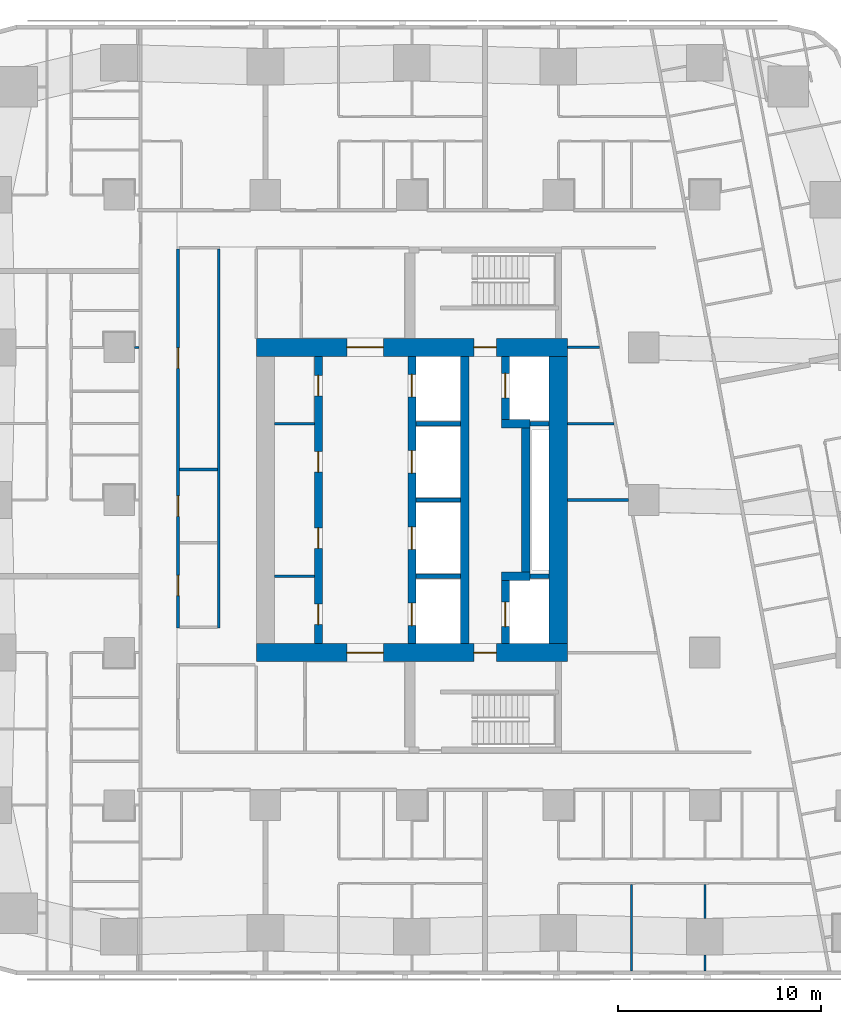
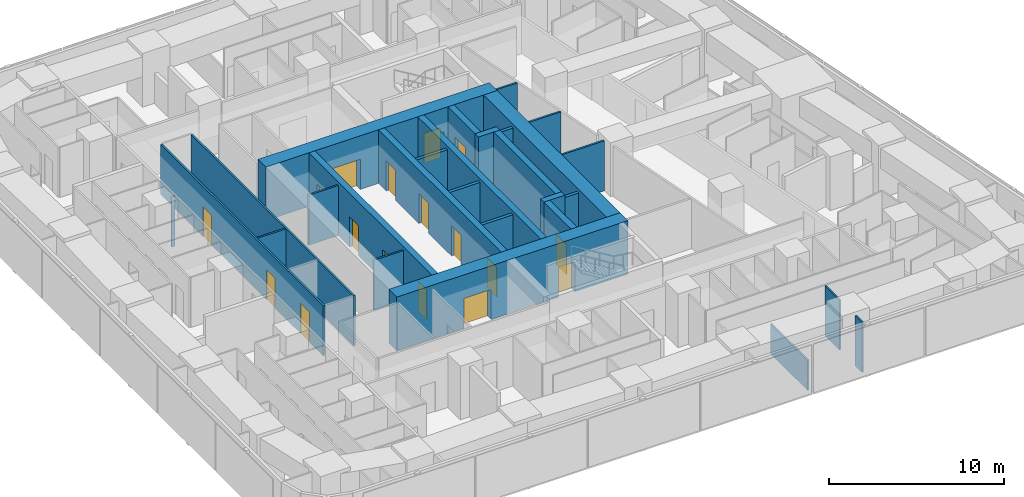
# One storey, part 5 of 15: 28 walls, 17 doors, 17 openings.
"""IFC4 building model written with IfcOpenShell, lengths in metres."""

from ifc_helpers import new_model, si_unit, direction, frame, frame_2d, origin, place, context, subcontext, project, spatial, rectangle, extrude, material, layer, layer_set, type_object, element, fill, save


model = new_model("IFC4")

# Units and contexts
model_context = context("Model", 3, precision=1e-05, world=origin(), true_north=direction((0.0, 1.0)))
body_context = subcontext(model_context, "Body", "Model", "MODEL_VIEW")
ifc_project = project(units=[si_unit("LENGTHUNIT", "METRE"), si_unit("AREAUNIT", "SQUARE_METRE"), si_unit("VOLUMEUNIT", "CUBIC_METRE"), si_unit("PLANEANGLEUNIT", "RADIAN"), si_unit("MASSUNIT", "GRAM", prefix="KILO")], contexts=[model_context])

# Site, building, storey
site_placement = place(None, origin())
site = spatial("IfcSite", under=ifc_project, at=site_placement, CompositionType="ELEMENT")
building_placement = place(site_placement, origin())
building = spatial("IfcBuilding", under=site, at=building_placement, Name="Sheger Commons Tower", CompositionType="ELEMENT")
storey_placement = place(building_placement, frame((0.0, 0.0, 150.800048828125)))
storey = spatial("IfcBuildingStorey", under=building, at=storey_placement, Name="L38", CompositionType="ELEMENT", Elevation=150.800048828125)

# Wall, openings, doors
ifc_material_1 = material(Name="Concrete C50/60", Category="concrete")
ifc_layer_1 = layer(ifc_material_1, 0.39990234375)
ifc_layer_set_1 = layer_set([ifc_layer_1], Name="CORE INNER WALL 400")
wall_type_1 = type_object("IfcWallType", Name="CORE INNER WALL 400", PredefinedType="SHEAR", material=ifc_layer_set_1)
wall_1_placement = place(storey_placement, frame((17.0, 15.449951171875, 0.0), z_axis=(0.0, 0.0, 1.0), x_axis=(0.0, 1.0, 0.0)))
wall_1 = element("IfcWall", 1, at=wall_1_placement, inside=storey, type_object=wall_type_1, Name="Core inner wall A L38", PredefinedType="SHEAR", context=body_context, shape_type="SweptSolid", body=[
    extrude(rectangle(XDim=14.10009765625, YDim=0.39990234375, at=frame_2d((7.050048828125, 0.0))), origin(), (0.0, 0.0, 1.0), 3.75),
])
opening_1_placement = place(wall_1_placement, frame((0.925048828125, 0.0, 0.0)))
opening_1 = element("IfcOpeningElement", 2, at=opening_1_placement, cuts=wall_1, Name="Opening D4", PredefinedType="OPENING", context=body_context, shape_type="SweptSolid", body=[
    extrude(rectangle(XDim=1.0, YDim=2.10009765625, at=frame_2d((0.5, 1.050048828125))), frame((0.0, 0.2099609375, 0.0), z_axis=(0.0, -1.0, 0.0), x_axis=(1.0, 0.0, 0.0)), (0.0, 0.0, 1.0), 0.419921875),
])
opening_2_placement = place(wall_1_placement, frame((4.675048828125, 0.0, 0.0)))
opening_2 = element("IfcOpeningElement", 3, at=opening_2_placement, cuts=wall_1, Name="Opening D4", PredefinedType="OPENING", context=body_context, shape_type="SweptSolid", body=[
    extrude(rectangle(XDim=1.0, YDim=2.10009765625, at=frame_2d((0.5, 1.050048828125))), frame((0.0, 0.2099609375, 0.0), z_axis=(0.0, -1.0, 0.0), x_axis=(1.0, 0.0, 0.0)), (0.0, 0.0, 1.0), 0.419921875),
])
opening_3_placement = place(wall_1_placement, frame((8.425048828125, 0.0, 0.0)))
opening_3 = element("IfcOpeningElement", 4, at=opening_3_placement, cuts=wall_1, Name="Opening D4", PredefinedType="OPENING", context=body_context, shape_type="SweptSolid", body=[
    extrude(rectangle(XDim=1.0, YDim=2.10009765625, at=frame_2d((0.5, 1.050048828125))), frame((0.0, 0.2099609375, 0.0), z_axis=(0.0, -1.0, 0.0), x_axis=(1.0, 0.0, 0.0)), (0.0, 0.0, 1.0), 0.419921875),
])
opening_4_placement = place(wall_1_placement, frame((12.175048828125, 0.0, 0.0)))
opening_4 = element("IfcOpeningElement", 5, at=opening_4_placement, cuts=wall_1, Name="Opening D4", PredefinedType="OPENING", context=body_context, shape_type="SweptSolid", body=[
    extrude(rectangle(XDim=1.0, YDim=2.10009765625, at=frame_2d((0.5, 1.050048828125))), frame((0.0, 0.2099609375, 0.0), z_axis=(0.0, -1.0, 0.0), x_axis=(1.0, 0.0, 0.0)), (0.0, 0.0, 1.0), 0.419921875),
])
ifc_material_2 = material(Name="Steel door set, fire rated", Category="steel")
door_type_1 = type_object("IfcDoorType", Name="SERVICE DOOR 1000x2100", OperationType="NOTDEFINED", PredefinedType="DOOR", material=ifc_material_2)
door_1_placement = place(opening_1_placement, origin())
door_1 = element("IfcDoor", 6, at=door_1_placement, inside=storey, type_object=door_type_1, Name="Estate store door", OperationType="SINGLE_SWING_LEFT", OverallHeight=2.10009765625, OverallWidth=1.0, PredefinedType="DOOR", context=body_context, shape_type="SweptSolid", body=[
    extrude(rectangle(XDim=1.0, YDim=2.10009765625, at=frame_2d((0.5, 1.050048828125))), frame((0.0, 0.02490234375, 0.0), z_axis=(0.0, -1.0, 0.0), x_axis=(1.0, 0.0, 0.0)), (0.0, 0.0, 1.0), 0.050048828125),
])
fill(opening_1, door_1)
door_2_placement = place(opening_2_placement, origin())
door_2 = element("IfcDoor", 7, at=door_2_placement, inside=storey, type_object=door_type_1, Name="Bulky waste store door", OperationType="SINGLE_SWING_LEFT", OverallHeight=2.10009765625, OverallWidth=1.0, PredefinedType="DOOR", context=body_context, shape_type="SweptSolid", body=[
    extrude(rectangle(XDim=1.0, YDim=2.10009765625, at=frame_2d((0.5, 1.050048828125))), frame((0.0, 0.02490234375, 0.0), z_axis=(0.0, -1.0, 0.0), x_axis=(1.0, 0.0, 0.0)), (0.0, 0.0, 1.0), 0.050048828125),
])
fill(opening_2, door_2)
door_3_placement = place(opening_3_placement, origin())
door_3 = element("IfcDoor", 8, at=door_3_placement, inside=storey, type_object=door_type_1, Name="Bulky waste store door", OperationType="SINGLE_SWING_RIGHT", OverallHeight=2.10009765625, OverallWidth=1.0, PredefinedType="DOOR", context=body_context, shape_type="SweptSolid", body=[
    extrude(rectangle(XDim=1.0, YDim=2.10009765625, at=frame_2d((0.5, 1.050048828125))), frame((0.0, 0.02490234375, 0.0), z_axis=(0.0, -1.0, 0.0), x_axis=(1.0, 0.0, 0.0)), (0.0, 0.0, 1.0), 0.050048828125),
])
fill(opening_3, door_3)
door_4_placement = place(opening_4_placement, origin())
door_4 = element("IfcDoor", 9, at=door_4_placement, inside=storey, type_object=door_type_1, Name="Staff WC door", OperationType="SINGLE_SWING_RIGHT", OverallHeight=2.10009765625, OverallWidth=1.0, PredefinedType="DOOR", context=body_context, shape_type="SweptSolid", body=[
    extrude(rectangle(XDim=1.0, YDim=2.10009765625, at=frame_2d((0.5, 1.050048828125))), frame((0.0, 0.02490234375, 0.0), z_axis=(0.0, -1.0, 0.0), x_axis=(1.0, 0.0, 0.0)), (0.0, 0.0, 1.0), 0.050048828125),
])
fill(opening_4, door_4)

wall_2_placement = place(storey_placement, frame((21.60009765625, 15.449951171875, 0.0), z_axis=(0.0, 0.0, 1.0), x_axis=(0.0, 1.0, 0.0)))
wall_2 = element("IfcWall", 10, at=wall_2_placement, inside=storey, type_object=wall_type_1, Name="Core inner wall L L38", PredefinedType="SHEAR", context=body_context, shape_type="SweptSolid", body=[
    extrude(rectangle(XDim=14.10009765625, YDim=0.39990234375, at=frame_2d((7.050048828125, 0.0))), origin(), (0.0, 0.0, 1.0), 3.75),
])
opening_5_placement = place(wall_2_placement, frame((0.875, 0.0, 0.0)))
opening_5 = element("IfcOpeningElement", 11, at=opening_5_placement, cuts=wall_2, Name="Opening LD", PredefinedType="OPENING", context=body_context, shape_type="SweptSolid", body=[
    extrude(rectangle(XDim=1.10009765625, YDim=2.10009765625, at=frame_2d((0.550048828125, 1.050048828125))), frame((0.0, 0.2099609375, 0.0), z_axis=(0.0, -1.0, 0.0), x_axis=(1.0, 0.0, 0.0)), (0.0, 0.0, 1.0), 0.419921875),
])
opening_6_placement = place(wall_2_placement, frame((4.625, 0.0, 0.0)))
opening_6 = element("IfcOpeningElement", 12, at=opening_6_placement, cuts=wall_2, Name="Opening LD", PredefinedType="OPENING", context=body_context, shape_type="SweptSolid", body=[
    extrude(rectangle(XDim=1.10009765625, YDim=2.10009765625, at=frame_2d((0.550048828125, 1.050048828125))), frame((0.0, 0.2099609375, 0.0), z_axis=(0.0, -1.0, 0.0), x_axis=(1.0, 0.0, 0.0)), (0.0, 0.0, 1.0), 0.419921875),
])
opening_7_placement = place(wall_2_placement, frame((8.375, 0.0, 0.0)))
opening_7 = element("IfcOpeningElement", 13, at=opening_7_placement, cuts=wall_2, Name="Opening LD", PredefinedType="OPENING", context=body_context, shape_type="SweptSolid", body=[
    extrude(rectangle(XDim=1.10009765625, YDim=2.10009765625, at=frame_2d((0.550048828125, 1.050048828125))), frame((0.0, 0.2099609375, 0.0), z_axis=(0.0, -1.0, 0.0), x_axis=(1.0, 0.0, 0.0)), (0.0, 0.0, 1.0), 0.419921875),
])
opening_8_placement = place(wall_2_placement, frame((12.125, 0.0, 0.0)))
opening_8 = element("IfcOpeningElement", 14, at=opening_8_placement, cuts=wall_2, Name="Opening LD", PredefinedType="OPENING", context=body_context, shape_type="SweptSolid", body=[
    extrude(rectangle(XDim=1.10009765625, YDim=2.10009765625, at=frame_2d((0.550048828125, 1.050048828125))), frame((0.0, 0.2099609375, 0.0), z_axis=(0.0, -1.0, 0.0), x_axis=(1.0, 0.0, 0.0)), (0.0, 0.0, 1.0), 0.419921875),
])
ifc_material_3 = material(Name="Steel door set, fire rated", Category="steel")
door_type_2 = type_object("IfcDoorType", Name="LIFT LANDING DOOR 1100x2100", OperationType="DOUBLE_DOOR_SLIDING", PredefinedType="DOOR", material=ifc_material_3)
door_5_placement = place(opening_5_placement, origin())
door_5 = element("IfcDoor", 15, at=door_5_placement, inside=storey, type_object=door_type_2, Name="Lift LB1 landing door", OperationType="DOUBLE_DOOR_SLIDING", OverallHeight=2.10009765625, OverallWidth=1.10009765625, PredefinedType="DOOR", context=body_context, shape_type="SweptSolid", body=[
    extrude(rectangle(XDim=1.10009765625, YDim=2.10009765625, at=frame_2d((0.550048828125, 1.050048828125))), frame((0.0, 0.02490234375, 0.0), z_axis=(0.0, -1.0, 0.0), x_axis=(1.0, 0.0, 0.0)), (0.0, 0.0, 1.0), 0.050048828125),
])
fill(opening_5, door_5)
door_6_placement = place(opening_6_placement, origin())
door_6 = element("IfcDoor", 16, at=door_6_placement, inside=storey, type_object=door_type_2, Name="Lift LB2 landing door", OperationType="DOUBLE_DOOR_SLIDING", OverallHeight=2.10009765625, OverallWidth=1.10009765625, PredefinedType="DOOR", context=body_context, shape_type="SweptSolid", body=[
    extrude(rectangle(XDim=1.10009765625, YDim=2.10009765625, at=frame_2d((0.550048828125, 1.050048828125))), frame((0.0, 0.02490234375, 0.0), z_axis=(0.0, -1.0, 0.0), x_axis=(1.0, 0.0, 0.0)), (0.0, 0.0, 1.0), 0.050048828125),
])
fill(opening_6, door_6)
door_7_placement = place(opening_7_placement, origin())
door_7 = element("IfcDoor", 17, at=door_7_placement, inside=storey, type_object=door_type_2, Name="Lift LB3 landing door", OperationType="DOUBLE_DOOR_SLIDING", OverallHeight=2.10009765625, OverallWidth=1.10009765625, PredefinedType="DOOR", context=body_context, shape_type="SweptSolid", body=[
    extrude(rectangle(XDim=1.10009765625, YDim=2.10009765625, at=frame_2d((0.550048828125, 1.050048828125))), frame((0.0, 0.02490234375, 0.0), z_axis=(0.0, -1.0, 0.0), x_axis=(1.0, 0.0, 0.0)), (0.0, 0.0, 1.0), 0.050048828125),
])
fill(opening_7, door_7)
door_8_placement = place(opening_8_placement, origin())
door_8 = element("IfcDoor", 18, at=door_8_placement, inside=storey, type_object=door_type_2, Name="Lift LB4 landing door", OperationType="DOUBLE_DOOR_SLIDING", OverallHeight=2.10009765625, OverallWidth=1.10009765625, PredefinedType="DOOR", context=body_context, shape_type="SweptSolid", body=[
    extrude(rectangle(XDim=1.10009765625, YDim=2.10009765625, at=frame_2d((0.550048828125, 1.050048828125))), frame((0.0, 0.02490234375, 0.0), z_axis=(0.0, -1.0, 0.0), x_axis=(1.0, 0.0, 0.0)), (0.0, 0.0, 1.0), 0.050048828125),
])
fill(opening_8, door_8)

# Wall
wall_3_placement = place(storey_placement, frame((24.199951171875, 15.449951171875, 0.0), z_axis=(0.0, 0.0, 1.0), x_axis=(0.0, 1.0, 0.0)))
element("IfcWall", 19, at=wall_3_placement, inside=storey, type_object=wall_type_1, Name="Core inner wall B L38", PredefinedType="SHEAR", context=body_context, shape_type="SweptSolid", body=[
    extrude(rectangle(XDim=14.10009765625, YDim=0.39990234375, at=frame_2d((7.050048828125, 0.0))), origin(), (0.0, 0.0, 1.0), 3.75),
])

# Wall, opening, door
wall_4_placement = place(storey_placement, frame((26.199951171875, 15.449951171875, 0.0), z_axis=(0.0, 0.0, 1.0), x_axis=(0.0, 1.0, 0.0)))
wall_4 = element("IfcWall", 20, at=wall_4_placement, inside=storey, type_object=wall_type_1, Name="Core inner wall F L38", PredefinedType="SHEAR", context=body_context, shape_type="SweptSolid", body=[
    extrude(rectangle(XDim=3.10009765625, YDim=0.39990234375, at=frame_2d((1.550048828125, 0.0))), origin(), (0.0, 0.0, 1.0), 3.75),
])
opening_9_placement = place(wall_4_placement, frame((0.824951171875, 0.0, 0.0)))
opening_9 = element("IfcOpeningElement", 21, at=opening_9_placement, cuts=wall_4, Name="Opening LD2", PredefinedType="OPENING", context=body_context, shape_type="SweptSolid", body=[
    extrude(rectangle(XDim=1.199951171875, YDim=2.10009765625, at=frame_2d((0.60009765625, 1.050048828125))), frame((0.0, 0.2099609375, 0.0), z_axis=(0.0, -1.0, 0.0), x_axis=(1.0, 0.0, 0.0)), (0.0, 0.0, 1.0), 0.419921875),
])
ifc_material_4 = material(Name="Steel door set, fire rated", Category="steel")
door_type_3 = type_object("IfcDoorType", Name="FIREFIGHTING LIFT LANDING DOOR 1200x2100", OperationType="DOUBLE_DOOR_SLIDING", PredefinedType="DOOR", material=ifc_material_4)
door_9_placement = place(opening_9_placement, origin())
door_9 = element("IfcDoor", 22, at=door_9_placement, inside=storey, type_object=door_type_3, Name="Lift FL1 landing door", OperationType="DOUBLE_DOOR_SLIDING", OverallHeight=2.10009765625, OverallWidth=1.199951171875, PredefinedType="DOOR", context=body_context, shape_type="SweptSolid", body=[
    extrude(rectangle(XDim=1.199951171875, YDim=2.10009765625, at=frame_2d((0.60009765625, 1.050048828125))), frame((0.0, 0.02490234375, 0.0), z_axis=(0.0, -1.0, 0.0), x_axis=(1.0, 0.0, 0.0)), (0.0, 0.0, 1.0), 0.050048828125),
])
fill(opening_9, door_9)

# Walls
wall_5_placement = place(storey_placement, frame((26.0, 18.75, 0.0), z_axis=(0.0, 0.0, 1.0), x_axis=(1.0, 0.0, 0.0)))
element("IfcWall", 23, at=wall_5_placement, inside=storey, type_object=wall_type_1, Name="Core inner wall F south return L38", PredefinedType="SHEAR", context=body_context, shape_type="SweptSolid", body=[
    extrude(rectangle(XDim=1.39990234375, YDim=0.39990234375, at=frame_2d((0.699951171875, 0.0))), origin(), (0.0, 0.0, 1.0), 3.75),
])
wall_6_placement = place(storey_placement, frame((27.199951171875, 18.949951171875, 0.0), z_axis=(0.0, 0.0, 1.0), x_axis=(0.0, 1.0, 0.0)))
element("IfcWall", 24, at=wall_6_placement, inside=storey, type_object=wall_type_1, Name="Core inner wall F middle L38", PredefinedType="SHEAR", context=body_context, shape_type="SweptSolid", body=[
    extrude(rectangle(XDim=7.10009765625, YDim=0.39990234375, at=frame_2d((3.550048828125, 0.0))), origin(), (0.0, 0.0, 1.0), 3.75),
])
wall_7_placement = place(storey_placement, frame((26.0, 26.25, 0.0), z_axis=(0.0, 0.0, 1.0), x_axis=(1.0, 0.0, 0.0)))
element("IfcWall", 25, at=wall_7_placement, inside=storey, type_object=wall_type_1, Name="Core inner wall F north return L38", PredefinedType="SHEAR", context=body_context, shape_type="SweptSolid", body=[
    extrude(rectangle(XDim=1.39990234375, YDim=0.39990234375, at=frame_2d((0.699951171875, 0.0))), origin(), (0.0, 0.0, 1.0), 3.75),
])

# Wall, opening, door
wall_8_placement = place(storey_placement, frame((26.199951171875, 26.449951171875, 0.0), z_axis=(0.0, 0.0, 1.0), x_axis=(0.0, 1.0, 0.0)))
wall_8 = element("IfcWall", 26, at=wall_8_placement, inside=storey, type_object=wall_type_1, Name="Core inner wall F north L38", PredefinedType="SHEAR", context=body_context, shape_type="SweptSolid", body=[
    extrude(rectangle(XDim=3.10009765625, YDim=0.39990234375, at=frame_2d((1.550048828125, 0.0))), origin(), (0.0, 0.0, 1.0), 3.75),
])
opening_10_placement = place(wall_8_placement, frame((1.074951171875, 0.0, 0.0)))
opening_10 = element("IfcOpeningElement", 27, at=opening_10_placement, cuts=wall_8, Name="Opening LD2", PredefinedType="OPENING", context=body_context, shape_type="SweptSolid", body=[
    extrude(rectangle(XDim=1.199951171875, YDim=2.10009765625, at=frame_2d((0.60009765625, 1.050048828125))), frame((0.0, 0.2099609375, 0.0), z_axis=(0.0, -1.0, 0.0), x_axis=(1.0, 0.0, 0.0)), (0.0, 0.0, 1.0), 0.419921875),
])
door_10_placement = place(opening_10_placement, origin())
door_10 = element("IfcDoor", 28, at=door_10_placement, inside=storey, type_object=door_type_3, Name="Lift FL2 landing door", OperationType="DOUBLE_DOOR_SLIDING", OverallHeight=2.10009765625, OverallWidth=1.199951171875, PredefinedType="DOOR", context=body_context, shape_type="SweptSolid", body=[
    extrude(rectangle(XDim=1.199951171875, YDim=2.10009765625, at=frame_2d((0.60009765625, 1.050048828125))), frame((0.0, 0.02490234375, 0.0), z_axis=(0.0, -1.0, 0.0), x_axis=(1.0, 0.0, 0.0)), (0.0, 0.0, 1.0), 0.050048828125),
])
fill(opening_10, door_10)

# Wall, openings, doors
ifc_material_5 = material(Name="Concrete C50/60", Category="concrete")
ifc_layer_2 = layer(ifc_material_5, 0.89990234375)
ifc_layer_set_2 = layer_set([ifc_layer_2], Name="CORE WALL 900")
wall_type_2 = type_object("IfcWallType", Name="CORE WALL 900", PredefinedType="SHEAR", material=ifc_layer_set_2)
wall_9_placement = place(storey_placement, frame((13.949951171875, 15.0, 0.0), z_axis=(0.0, 0.0, 1.0), x_axis=(1.0, 0.0, 0.0)))
wall_9 = element("IfcWall", 29, at=wall_9_placement, inside=storey, type_object=wall_type_2, Name="Core wall south L38", PredefinedType="SHEAR", context=body_context, shape_type="SweptSolid", body=[
    extrude(rectangle(XDim=15.300048828125, YDim=0.89990234375, at=frame_2d((7.64990234375, 0.0))), origin(), (0.0, 0.0, 1.0), 3.75),
])
opening_11_placement = place(wall_9_placement, frame((4.449951171875, 0.0, 0.0)))
opening_11 = element("IfcOpeningElement", 30, at=opening_11_placement, cuts=wall_9, Name="Opening D6", PredefinedType="OPENING", context=body_context, shape_type="SweptSolid", body=[
    extrude(rectangle(XDim=1.800048828125, YDim=2.10009765625, at=frame_2d((0.89990234375, 1.050048828125))), frame((0.0, 0.4599609375, 0.0), z_axis=(0.0, -1.0, 0.0), x_axis=(1.0, 0.0, 0.0)), (0.0, 0.0, 1.0), 0.919921875),
])
opening_12_placement = place(wall_9_placement, frame((10.699951171875, 0.0, 0.0)))
opening_12 = element("IfcOpeningElement", 31, at=opening_12_placement, cuts=wall_9, Name="Opening D5", PredefinedType="OPENING", context=body_context, shape_type="SweptSolid", body=[
    extrude(rectangle(XDim=1.10009765625, YDim=2.10009765625, at=frame_2d((0.550048828125, 1.050048828125))), frame((0.0, 0.4599609375, 0.0), z_axis=(0.0, -1.0, 0.0), x_axis=(1.0, 0.0, 0.0)), (0.0, 0.0, 1.0), 0.919921875),
])
ifc_material_6 = material(Name="Steel door set, fire rated", Category="steel")
door_type_4 = type_object("IfcDoorType", Name="LOBBY DOUBLE DOOR 1800x2100", OperationType="DOUBLE_DOOR_SINGLE_SWING", PredefinedType="DOOR", material=ifc_material_6)
door_11_placement = place(opening_11_placement, origin())
door_11 = element("IfcDoor", 32, at=door_11_placement, inside=storey, type_object=door_type_4, Name="Lift lobby door", OperationType="DOUBLE_DOOR_SINGLE_SWING", OverallHeight=2.10009765625, OverallWidth=1.800048828125, PredefinedType="DOOR", context=body_context, shape_type="SweptSolid", body=[
    extrude(rectangle(XDim=1.800048828125, YDim=2.10009765625, at=frame_2d((0.89990234375, 1.050048828125))), frame((0.0, 0.02490234375, 0.0), z_axis=(0.0, -1.0, 0.0), x_axis=(1.0, 0.0, 0.0)), (0.0, 0.0, 1.0), 0.050048828125),
])
fill(opening_11, door_11)
ifc_material_7 = material(Name="Steel door set, fire rated", Category="steel")
door_type_5 = type_object("IfcDoorType", Name="STAIR DOOR 1100x2100", OperationType="NOTDEFINED", PredefinedType="DOOR", material=ifc_material_7)
door_12_placement = place(opening_12_placement, origin())
door_12 = element("IfcDoor", 33, at=door_12_placement, inside=storey, type_object=door_type_5, Name="Fire-fighting lobby door", OperationType="SINGLE_SWING_LEFT", OverallHeight=2.10009765625, OverallWidth=1.10009765625, PredefinedType="DOOR", context=body_context, shape_type="SweptSolid", body=[
    extrude(rectangle(XDim=1.10009765625, YDim=2.10009765625, at=frame_2d((0.550048828125, 1.050048828125))), frame((0.0, 0.02490234375, 0.0), z_axis=(0.0, -1.0, 0.0), x_axis=(1.0, 0.0, 0.0)), (0.0, 0.0, 1.0), 0.050048828125),
])
fill(opening_12, door_12)

wall_10_placement = place(storey_placement, frame((13.949951171875, 30.0, 0.0), z_axis=(0.0, 0.0, 1.0), x_axis=(1.0, 0.0, 0.0)))
wall_10 = element("IfcWall", 34, at=wall_10_placement, inside=storey, type_object=wall_type_2, Name="Core wall north L38", PredefinedType="SHEAR", context=body_context, shape_type="SweptSolid", body=[
    extrude(rectangle(XDim=15.300048828125, YDim=0.89990234375, at=frame_2d((7.64990234375, 0.0))), origin(), (0.0, 0.0, 1.0), 3.75),
])
opening_13_placement = place(wall_10_placement, frame((4.449951171875, 0.0, 0.0)))
opening_13 = element("IfcOpeningElement", 35, at=opening_13_placement, cuts=wall_10, Name="Opening D6", PredefinedType="OPENING", context=body_context, shape_type="SweptSolid", body=[
    extrude(rectangle(XDim=1.800048828125, YDim=2.10009765625, at=frame_2d((0.89990234375, 1.050048828125))), frame((0.0, 0.4599609375, 0.0), z_axis=(0.0, -1.0, 0.0), x_axis=(1.0, 0.0, 0.0)), (0.0, 0.0, 1.0), 0.919921875),
])
opening_14_placement = place(wall_10_placement, frame((10.699951171875, 0.0, 0.0)))
opening_14 = element("IfcOpeningElement", 36, at=opening_14_placement, cuts=wall_10, Name="Opening D5", PredefinedType="OPENING", context=body_context, shape_type="SweptSolid", body=[
    extrude(rectangle(XDim=1.10009765625, YDim=2.10009765625, at=frame_2d((0.550048828125, 1.050048828125))), frame((0.0, 0.4599609375, 0.0), z_axis=(0.0, -1.0, 0.0), x_axis=(1.0, 0.0, 0.0)), (0.0, 0.0, 1.0), 0.919921875),
])
door_13_placement = place(opening_13_placement, origin())
door_13 = element("IfcDoor", 37, at=door_13_placement, inside=storey, type_object=door_type_4, Name="Lift lobby door", OperationType="DOUBLE_DOOR_SINGLE_SWING", OverallHeight=2.10009765625, OverallWidth=1.800048828125, PredefinedType="DOOR", context=body_context, shape_type="SweptSolid", body=[
    extrude(rectangle(XDim=1.800048828125, YDim=2.10009765625, at=frame_2d((0.89990234375, 1.050048828125))), frame((0.0, 0.02490234375, 0.0), z_axis=(0.0, -1.0, 0.0), x_axis=(1.0, 0.0, 0.0)), (0.0, 0.0, 1.0), 0.050048828125),
])
fill(opening_13, door_13)
door_14_placement = place(opening_14_placement, origin())
door_14 = element("IfcDoor", 38, at=door_14_placement, inside=storey, type_object=door_type_5, Name="Fire-fighting lobby door", OperationType="SINGLE_SWING_LEFT", OverallHeight=2.10009765625, OverallWidth=1.10009765625, PredefinedType="DOOR", context=body_context, shape_type="SweptSolid", body=[
    extrude(rectangle(XDim=1.10009765625, YDim=2.10009765625, at=frame_2d((0.550048828125, 1.050048828125))), frame((0.0, 0.02490234375, 0.0), z_axis=(0.0, -1.0, 0.0), x_axis=(1.0, 0.0, 0.0)), (0.0, 0.0, 1.0), 0.050048828125),
])
fill(opening_14, door_14)

# Walls
wall_11_placement = place(storey_placement, frame((28.800048828125, 15.449951171875, 0.0), z_axis=(0.0, 0.0, 1.0), x_axis=(0.0, 1.0, 0.0)))
element("IfcWall", 39, at=wall_11_placement, inside=storey, type_object=wall_type_2, Name="Core wall east L38", PredefinedType="SHEAR", context=body_context, shape_type="SweptSolid", body=[
    extrude(rectangle(XDim=14.10009765625, YDim=0.89990234375, at=frame_2d((7.050048828125, 0.0))), origin(), (0.0, 0.0, 1.0), 3.75),
])
ifc_material_8 = material(Name="Gypsum board on steel studs", Category="steel")
ifc_layer_3 = layer(ifc_material_8, 0.10009765625)
ifc_layer_set_3 = layer_set([ifc_layer_3], Name="PARTITION 100")
wall_type_3 = type_object("IfcWallType", Name="PARTITION 100", PredefinedType="PARTITIONING", material=ifc_layer_set_3)
wall_12_placement = place(storey_placement, frame((7.950927734375, 30.0, 0.0), z_axis=(0.0, 0.0, 1.0), x_axis=(1.0, 0.0, 0.0)))
element("IfcWall", 40, at=wall_12_placement, inside=storey, type_object=wall_type_3, Name="Partition L38", PredefinedType="PARTITIONING", context=body_context, shape_type="SweptSolid", body=[
    extrude(rectangle(XDim=0.22412109375, YDim=0.10009765625, at=frame_2d((0.112060546875, 0.0))), origin(), (0.0, 0.0, 1.0), 3.5),
])
wall_13_placement = place(storey_placement, frame((32.39990234375, -0.64990234375, 0.0), z_axis=(0.0, 0.0, 1.0), x_axis=(0.0, 1.0, 0.0)))
element("IfcWall", 41, at=wall_13_placement, inside=storey, type_object=wall_type_3, Name="Partition L38", PredefinedType="PARTITIONING", context=body_context, shape_type="SweptSolid", body=[
    extrude(rectangle(XDim=4.25, YDim=0.10009765625, at=frame_2d((2.125, 0.0))), origin(), (0.0, 0.0, 1.0), 2.099853515625),
])
wall_14_placement = place(storey_placement, frame((36.0, -0.64990234375, 0.0), z_axis=(0.0, 0.0, 1.0), x_axis=(0.0, 1.0, 0.0)))
element("IfcWall", 42, at=wall_14_placement, inside=storey, type_object=wall_type_3, Name="Partition L38", PredefinedType="PARTITIONING", context=body_context, shape_type="SweptSolid", body=[
    extrude(rectangle(XDim=0.77392578125, YDim=0.10009765625, at=frame_2d((0.386962890625, 0.0))), origin(), (0.0, 0.0, 1.0), 3.5),
])
wall_15_placement = place(storey_placement, frame((36.0, 1.926025390625, 0.0), z_axis=(0.0, 0.0, 1.0), x_axis=(0.0, 1.0, 0.0)))
element("IfcWall", 43, at=wall_15_placement, inside=storey, type_object=wall_type_3, Name="Partition L38", PredefinedType="PARTITIONING", context=body_context, shape_type="SweptSolid", body=[
    extrude(rectangle(XDim=1.674072265625, YDim=0.10009765625, at=frame_2d((0.8369140625, 0.0))), origin(), (0.0, 0.0, 1.0), 3.5),
])

# Wall, openings, doors
ifc_material_9 = material(Name="Gypsum board on steel studs, two layers each side, fire rated", Category="steel")
ifc_layer_4 = layer(ifc_material_9, 0.125)
ifc_layer_set_4 = layer_set([ifc_layer_4], Name="SERVICE WALL 125")
wall_type_4 = type_object("IfcWallType", Name="SERVICE WALL 125", PredefinedType="PARTITIONING", material=ifc_layer_set_4)
wall_16_placement = place(storey_placement, frame((10.10009765625, 16.199951171875, 0.0), z_axis=(0.0, 0.0, 1.0), x_axis=(0.0, 1.0, 0.0)))
wall_16 = element("IfcWall", 44, at=wall_16_placement, inside=storey, type_object=wall_type_4, Name="Service room wall L38", PredefinedType="PARTITIONING", context=body_context, shape_type="SweptSolid", body=[
    extrude(rectangle(XDim=18.637939453125, YDim=0.125, at=frame_2d((9.31884765625, 0.0))), origin(), (0.0, 0.0, 1.0), 3.5),
])
opening_15_placement = place(wall_16_placement, frame((1.60009765625, 0.0, 0.0)))
opening_15 = element("IfcOpeningElement", 45, at=opening_15_placement, cuts=wall_16, Name="Opening D4", PredefinedType="OPENING", context=body_context, shape_type="SweptSolid", body=[
    extrude(rectangle(XDim=1.0, YDim=2.10009765625, at=frame_2d((0.5, 1.050048828125))), frame((0.0, 0.072509765625, 0.0), z_axis=(0.0, -1.0, 0.0), x_axis=(1.0, 0.0, 0.0)), (0.0, 0.0, 1.0), 0.14501953125),
])
opening_16_placement = place(wall_16_placement, frame((5.5, 0.0, 0.0)))
opening_16 = element("IfcOpeningElement", 46, at=opening_16_placement, cuts=wall_16, Name="Opening D4", PredefinedType="OPENING", context=body_context, shape_type="SweptSolid", body=[
    extrude(rectangle(XDim=1.0, YDim=2.10009765625, at=frame_2d((0.5, 1.050048828125))), frame((0.0, 0.072509765625, 0.0), z_axis=(0.0, -1.0, 0.0), x_axis=(1.0, 0.0, 0.0)), (0.0, 0.0, 1.0), 0.14501953125),
])
opening_17_placement = place(wall_16_placement, frame((12.77490234375, 0.0, 0.0)))
opening_17 = element("IfcOpeningElement", 47, at=opening_17_placement, cuts=wall_16, Name="Opening D4", PredefinedType="OPENING", context=body_context, shape_type="SweptSolid", body=[
    extrude(rectangle(XDim=1.0, YDim=2.10009765625, at=frame_2d((0.5, 1.050048828125))), frame((0.0, 0.072509765625, 0.0), z_axis=(0.0, -1.0, 0.0), x_axis=(1.0, 0.0, 0.0)), (0.0, 0.0, 1.0), 0.14501953125),
])
door_15_placement = place(opening_15_placement, origin())
door_15 = element("IfcDoor", 48, at=door_15_placement, inside=storey, type_object=door_type_1, Name="Bicycle and pram store door", OperationType="SINGLE_SWING_RIGHT", OverallHeight=2.10009765625, OverallWidth=1.0, PredefinedType="DOOR", context=body_context, shape_type="SweptSolid", body=[
    extrude(rectangle(XDim=1.0, YDim=2.10009765625, at=frame_2d((0.5, 1.050048828125))), frame((0.0, 0.02490234375, 0.0), z_axis=(0.0, -1.0, 0.0), x_axis=(1.0, 0.0, 0.0)), (0.0, 0.0, 1.0), 0.050048828125),
])
fill(opening_15, door_15)
door_16_placement = place(opening_16_placement, origin())
door_16 = element("IfcDoor", 49, at=door_16_placement, inside=storey, type_object=door_type_1, Name="Residents' store door", OperationType="SINGLE_SWING_LEFT", OverallHeight=2.10009765625, OverallWidth=1.0, PredefinedType="DOOR", context=body_context, shape_type="SweptSolid", body=[
    extrude(rectangle(XDim=1.0, YDim=2.10009765625, at=frame_2d((0.5, 1.050048828125))), frame((0.0, 0.02490234375, 0.0), z_axis=(0.0, -1.0, 0.0), x_axis=(1.0, 0.0, 0.0)), (0.0, 0.0, 1.0), 0.050048828125),
])
fill(opening_16, door_16)
door_17_placement = place(opening_17_placement, origin())
door_17 = element("IfcDoor", 50, at=door_17_placement, inside=storey, type_object=door_type_1, Name="Cleaner's store door", OperationType="SINGLE_SWING_LEFT", OverallHeight=2.10009765625, OverallWidth=1.0, PredefinedType="DOOR", context=body_context, shape_type="SweptSolid", body=[
    extrude(rectangle(XDim=1.0, YDim=2.10009765625, at=frame_2d((0.5, 1.050048828125))), frame((0.0, 0.02490234375, 0.0), z_axis=(0.0, -1.0, 0.0), x_axis=(1.0, 0.0, 0.0)), (0.0, 0.0, 1.0), 0.050048828125),
])
fill(opening_17, door_17)

# Walls
wall_17_placement = place(storey_placement, frame((10.162109375, 24.0, 0.0), z_axis=(0.0, 0.0, 1.0), x_axis=(1.0, 0.0, 0.0)))
element("IfcWall", 51, at=wall_17_placement, inside=storey, type_object=wall_type_4, Name="Service room wall L38", PredefinedType="PARTITIONING", context=body_context, shape_type="SweptSolid", body=[
    extrude(rectangle(XDim=1.875, YDim=0.125, at=frame_2d((0.9375, 0.0))), origin(), (0.0, 0.0, 1.0), 3.5),
])
wall_18_placement = place(storey_placement, frame((12.10009765625, 16.199951171875, 0.0), z_axis=(0.0, 0.0, 1.0), x_axis=(0.0, 1.0, 0.0)))
element("IfcWall", 52, at=wall_18_placement, inside=storey, type_object=wall_type_4, Name="Service room wall L38", PredefinedType="PARTITIONING", context=body_context, shape_type="SweptSolid", body=[
    extrude(rectangle(XDim=18.636962890625, YDim=0.125, at=frame_2d((9.318359375, 0.0))), origin(), (0.0, 0.0, 1.0), 3.5),
])
wall_19_placement = place(storey_placement, frame((29.25, 22.5, 0.0), z_axis=(0.0, 0.0, 1.0), x_axis=(1.0, 0.0, 0.0)))
element("IfcWall", 53, at=wall_19_placement, inside=storey, type_object=wall_type_4, Name="Service room wall L38", PredefinedType="PARTITIONING", context=body_context, shape_type="SweptSolid", body=[
    extrude(rectangle(XDim=2.99609375, YDim=0.125, at=frame_2d((1.498046875, 0.0))), origin(), (0.0, 0.0, 1.0), 3.5),
])
wall_20_placement = place(storey_placement, frame((29.25, 26.25, 0.0), z_axis=(0.0, 0.0, 1.0), x_axis=(1.0, 0.0, 0.0)))
element("IfcWall", 54, at=wall_20_placement, inside=storey, type_object=wall_type_4, Name="Service room wall L38", PredefinedType="PARTITIONING", context=body_context, shape_type="SweptSolid", body=[
    extrude(rectangle(XDim=2.2880859375, YDim=0.125, at=frame_2d((1.14404296875, 0.0))), origin(), (0.0, 0.0, 1.0), 3.5),
])
wall_21_placement = place(storey_placement, frame((29.25, 30.0, 0.0), z_axis=(0.0, 0.0, 1.0), x_axis=(1.0, 0.0, 0.0)))
element("IfcWall", 55, at=wall_21_placement, inside=storey, type_object=wall_type_4, Name="Service room wall L38", PredefinedType="PARTITIONING", context=body_context, shape_type="SweptSolid", body=[
    extrude(rectangle(XDim=1.5791015625, YDim=0.125, at=frame_2d((0.78955078125, 0.0))), origin(), (0.0, 0.0, 1.0), 3.5),
])
for number, where, z_axis, x_axis, name in (
    (56, (14.85009765625, 18.75, 0.0), (0.0, 0.0, 1.0), (1.0, 0.0, 0.0), "Service room wall L38"),
    (57, (14.85009765625, 26.25, 0.0), (0.0, 0.0, 1.0), (1.0, 0.0, 0.0), "Service room wall L38"),
):
    element("IfcWall", number, at=place(storey_placement, frame(where, z_axis=z_axis, x_axis=x_axis)), inside=storey, type_object=wall_type_4, Name=name, PredefinedType="PARTITIONING", context=body_context, shape_type="SweptSolid", body=[
        extrude(rectangle(XDim=1.949951171875, YDim=0.125, at=frame_2d((0.97509765625, 0.0))), origin(), (0.0, 0.0, 1.0), 3.5),
    ])
ifc_material_10 = material(Name="Hollow concrete block masonry", Category="masonry")
ifc_layer_5 = layer(ifc_material_10, 0.199951171875)
ifc_layer_set_5 = layer_set([ifc_layer_5], Name="SHAFT WALL 200")
wall_type_5 = type_object("IfcWallType", Name="SHAFT WALL 200", PredefinedType="SOLIDWALL", material=ifc_layer_set_5)
for number, where, z_axis, x_axis, name in (
    (58, (21.800048828125, 18.75, 0.0), (0.0, 0.0, 1.0), (1.0, 0.0, 0.0), "Lift shaft wall L38"),
    (59, (21.800048828125, 22.5, 0.0), (0.0, 0.0, 1.0), (1.0, 0.0, 0.0), "Lift shaft wall L38"),
    (60, (21.800048828125, 26.25, 0.0), (0.0, 0.0, 1.0), (1.0, 0.0, 0.0), "Lift shaft wall L38"),
):
    element("IfcWall", number, at=place(storey_placement, frame(where, z_axis=z_axis, x_axis=x_axis)), inside=storey, type_object=wall_type_5, Name=name, PredefinedType="SOLIDWALL", context=body_context, shape_type="SweptSolid", body=[
        extrude(rectangle(XDim=2.199951171875, YDim=0.199951171875, at=frame_2d((1.10009765625, 0.0))), origin(), (0.0, 0.0, 1.0), 3.5),
    ])
for number, where, z_axis, x_axis, name in (
    (61, (27.39990234375, 18.75, 0.0), (0.0, 0.0, 1.0), (1.0, 0.0, 0.0), "Lift shaft wall L38"),
    (62, (27.39990234375, 26.25, 0.0), (0.0, 0.0, 1.0), (1.0, 0.0, 0.0), "Lift shaft wall L38"),
):
    element("IfcWall", number, at=place(storey_placement, frame(where, z_axis=z_axis, x_axis=x_axis)), inside=storey, type_object=wall_type_5, Name=name, PredefinedType="SOLIDWALL", context=body_context, shape_type="SweptSolid", body=[
        extrude(rectangle(XDim=0.9501953125, YDim=0.199951171875, at=frame_2d((0.47509765625, 0.0))), origin(), (0.0, 0.0, 1.0), 3.5),
    ])

save(model, "model.ifc")
